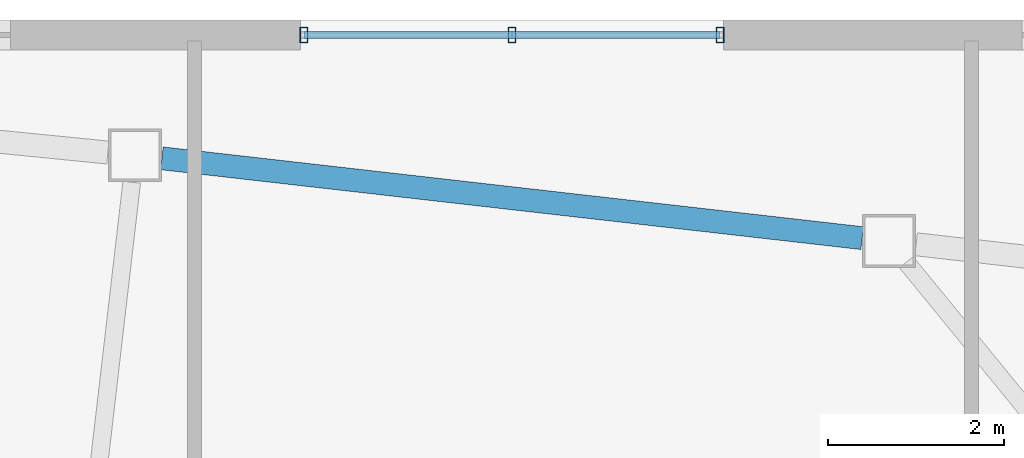
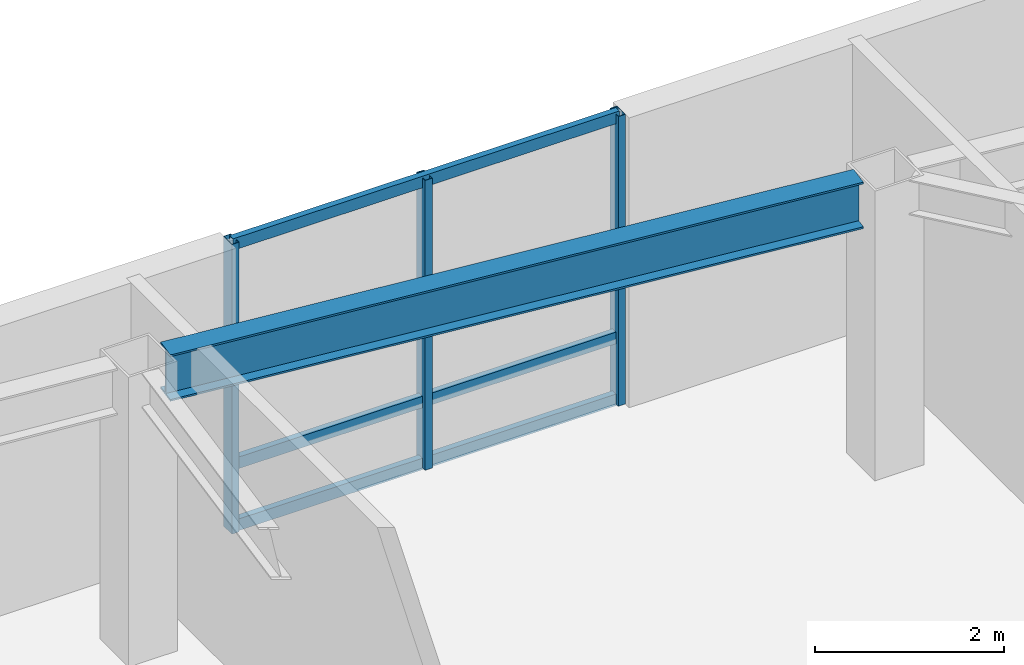
# One storey, part 7 of 16: 6 members, 1 beam, 1 element without a shape of its own.
"""IFC4 building model written with IfcOpenShell, lengths in metres."""

from ifc_helpers import new_model, si_unit, direction, frame, origin, origin_2d, place, context, subcontext, project, spatial, hollow_rectangle, i_section, extrude, material, layer, layer_set, material_profile, profile_set, type_object, element, aggregate, save


model = new_model("IFC4")

# Units and contexts
model_context = context("Model", 3, precision=1e-05, world=origin(), true_north=direction((0.0, 1.0)))
body_context = subcontext(model_context, "Body", "Model", "MODEL_VIEW")
ifc_project = project(units=[si_unit("LENGTHUNIT", "METRE"), si_unit("AREAUNIT", "SQUARE_METRE"), si_unit("VOLUMEUNIT", "CUBIC_METRE"), si_unit("PLANEANGLEUNIT", "RADIAN"), si_unit("MASSUNIT", "GRAM", prefix="KILO")], contexts=[model_context])

# Site, building, storey
site_placement = place(None, origin())
site = spatial("IfcSite", under=ifc_project, at=site_placement, CompositionType="ELEMENT")
building_placement = place(site_placement, origin())
building = spatial("IfcBuilding", under=site, at=building_placement, Name="Tavrogorsk Clinical Tower", CompositionType="ELEMENT")
storey_placement = place(building_placement, frame((0.0, 0.0, 164.199951171875)))
storey = spatial("IfcBuildingStorey", under=building, at=storey_placement, Name="L37", CompositionType="ELEMENT", Elevation=164.199951171875)

# Curtain wall, members
ifc_material_1 = material(Name="Anodised aluminium and triple IGU glazing", Category="aluminium")
ifc_layer = layer(ifc_material_1, 0.179931640625)
ifc_layer_set = layer_set([ifc_layer], Name="Anodised aluminium and triple IGU glazing")
curtain_wall_type = type_object("IfcCurtainWallType", Name="CW2_NorthSlot", PredefinedType="NOTDEFINED", material=ifc_layer_set)
curtain_wall_placement = place(storey_placement, origin())
curtain_wall = element("IfcCurtainWall", 1, at=curtain_wall_placement, inside=storey, type_object=curtain_wall_type, Name="L37 Curtain Wall CW-L37-N-SLOT-2", PredefinedType="NOTDEFINED")
ifc_material_2 = material(Name="Anodised aluminium alloy AW-6060", Category="aluminium")
ifc_material_profile_1 = material_profile(ifc_material_2, hollow_rectangle(XDim=0.090087890625, YDim=0.179931640625, WallThickness=0.00634765625, at=origin_2d()), Name="RHS-180x90x6.3")
ifc_profile_set_1 = profile_set([ifc_material_profile_1], Name="Anodised aluminium alloy AW-6060")
member_type_1 = type_object("IfcMemberType", Name="CwMullion_180x90", PredefinedType="MULLION", material=ifc_profile_set_1)
member_1_placement = place(storey_placement, frame((13.26904296875, 26.929931640625, 0.0), z_axis=(0.0, 0.0, 1.0), x_axis=(-1.0, 0.0, 0.0)))
member_1 = element("IfcMember", 2, at=member_1_placement, type_object=member_type_1, Name="CW-L37-N-SLOT-2 Mullion 1", PredefinedType="MULLION", context=body_context, shape_type="SweptSolid", body=[
    extrude(hollow_rectangle(XDim=0.090087890625, YDim=0.179931640625, WallThickness=0.00634765625, at=origin_2d()), origin(), (0.0, 0.0, 1.0), 3.739990234375),
])
member_2_placement = place(storey_placement, frame((10.91015625, 26.929931640625, 0.0), z_axis=(0.0, 0.0, 1.0), x_axis=(-1.0, 0.0, 0.0)))
member_2 = element("IfcMember", 3, at=member_2_placement, type_object=member_type_1, Name="CW-L37-N-SLOT-2 Mullion 2", PredefinedType="MULLION", context=body_context, shape_type="SweptSolid", body=[
    extrude(hollow_rectangle(XDim=0.090087890625, YDim=0.179931640625, WallThickness=0.00634765625, at=origin_2d()), origin(), (0.0, 0.0, 1.0), 3.739990234375),
])
member_3_placement = place(storey_placement, frame((8.551025390625, 26.929931640625, 0.0), z_axis=(0.0, 0.0, 1.0), x_axis=(-1.0, 0.0, 0.0)))
member_3 = element("IfcMember", 4, at=member_3_placement, type_object=member_type_1, Name="CW-L37-N-SLOT-2 Mullion 3", PredefinedType="MULLION", context=body_context, shape_type="SweptSolid", body=[
    extrude(hollow_rectangle(XDim=0.090087890625, YDim=0.179931640625, WallThickness=0.00634765625, at=origin_2d()), origin(), (0.0, 0.0, 1.0), 3.739990234375),
])
ifc_material_3 = material(Name="Anodised aluminium alloy AW-6060", Category="aluminium")
ifc_material_profile_2 = material_profile(ifc_material_3, hollow_rectangle(XDim=0.074951171875, YDim=0.14990234375, WallThickness=0.0048828125, at=origin_2d()), Name="RHS-150x75x5")
ifc_profile_set_2 = profile_set([ifc_material_profile_2], Name="Anodised aluminium alloy AW-6060")
member_type_2 = type_object("IfcMemberType", Name="CwTransom_150x75", PredefinedType="USERDEFINED", material=ifc_profile_set_2)
member_4_placement = place(storey_placement, frame((13.26904296875, 26.929931640625, 0.050048828125), z_axis=(-1.0, 0.0, 0.0), x_axis=(0.0, -1.0, 0.0)))
member_4 = element("IfcMember", 5, at=member_4_placement, type_object=member_type_2, Name="CW-L37-N-SLOT-2 Transom 1", ObjectType="TRANSOM", PredefinedType="USERDEFINED", context=body_context, shape_type="SweptSolid", body=[
    extrude(hollow_rectangle(XDim=0.074951171875, YDim=0.14990234375, WallThickness=0.0048828125, at=origin_2d()), origin(), (0.0, 0.0, 1.0), 4.718017578125),
])
member_5_placement = place(storey_placement, frame((13.26904296875, 26.929931640625, 0.85009765625), z_axis=(-1.0, 0.0, 0.0), x_axis=(0.0, -1.0, 0.0)))
member_5 = element("IfcMember", 6, at=member_5_placement, type_object=member_type_2, Name="CW-L37-N-SLOT-2 Transom 2", ObjectType="TRANSOM", PredefinedType="USERDEFINED", context=body_context, shape_type="SweptSolid", body=[
    extrude(hollow_rectangle(XDim=0.074951171875, YDim=0.14990234375, WallThickness=0.0048828125, at=origin_2d()), origin(), (0.0, 0.0, 1.0), 4.718017578125),
])
member_6_placement = place(storey_placement, frame((13.26904296875, 26.929931640625, 3.68994140625), z_axis=(-1.0, 0.0, 0.0), x_axis=(0.0, -1.0, 0.0)))
member_6 = element("IfcMember", 7, at=member_6_placement, type_object=member_type_2, Name="CW-L37-N-SLOT-2 Transom 3", ObjectType="TRANSOM", PredefinedType="USERDEFINED", context=body_context, shape_type="SweptSolid", body=[
    extrude(hollow_rectangle(XDim=0.074951171875, YDim=0.14990234375, WallThickness=0.0048828125, at=origin_2d()), origin(), (0.0, 0.0, 1.0), 4.718017578125),
])
aggregate(curtain_wall, [member_1, member_2, member_3, member_4, member_5, member_6])

# Beam
ifc_material_4 = material(Name="Structural steel S390", Category="steel")
ifc_material_profile_3 = material_profile(ifc_material_4, i_section(OverallWidth=0.260009765625, OverallDepth=0.60009765625, WebThickness=0.014892578125, FlangeThickness=0.02392578125, at=origin_2d()), Name="B-600x260x15x24")
ifc_profile_set_3 = profile_set([ifc_material_profile_3], Name="Structural steel S390")
beam_type = type_object("IfcBeamType", Name="SpandrelBeam_B600", PredefinedType="SPANDREL", material=ifc_profile_set_3)
beam_placement = place(storey_placement, frame((14.8798828125, 24.626953125, 3.43994140625), z_axis=(-0.993569449752, 0.113224328304, 0.0), x_axis=(-0.113224328304, -0.993569449752, 0.0)))
element("IfcBeam", 8, at=beam_placement, inside=storey, type_object=beam_type, Name="L37 Perimeter Spandrel N3-N4", PredefinedType="SPANDREL", context=body_context, shape_type="SweptSolid", body=[
    extrude(i_section(OverallWidth=0.260009765625, OverallDepth=0.60009765625, WebThickness=0.014892578125, FlangeThickness=0.02392578125, at=origin_2d()), origin(), (0.0, 0.0, 1.0), 7.990966796875),
])

save(model, "model.ifc")
